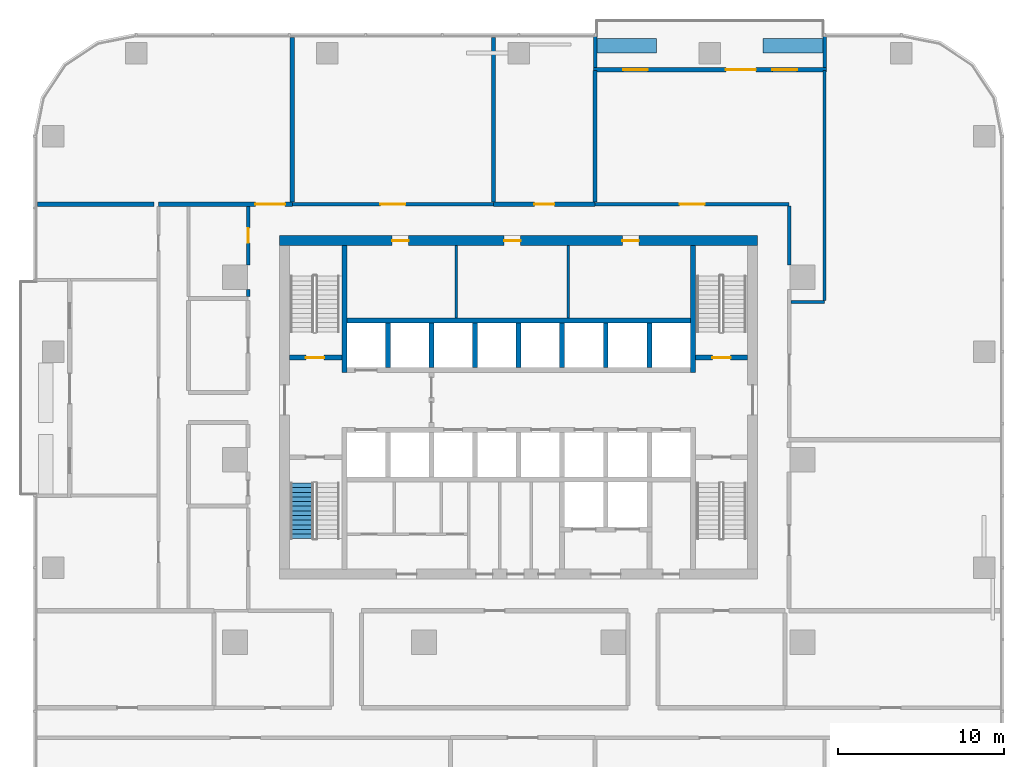
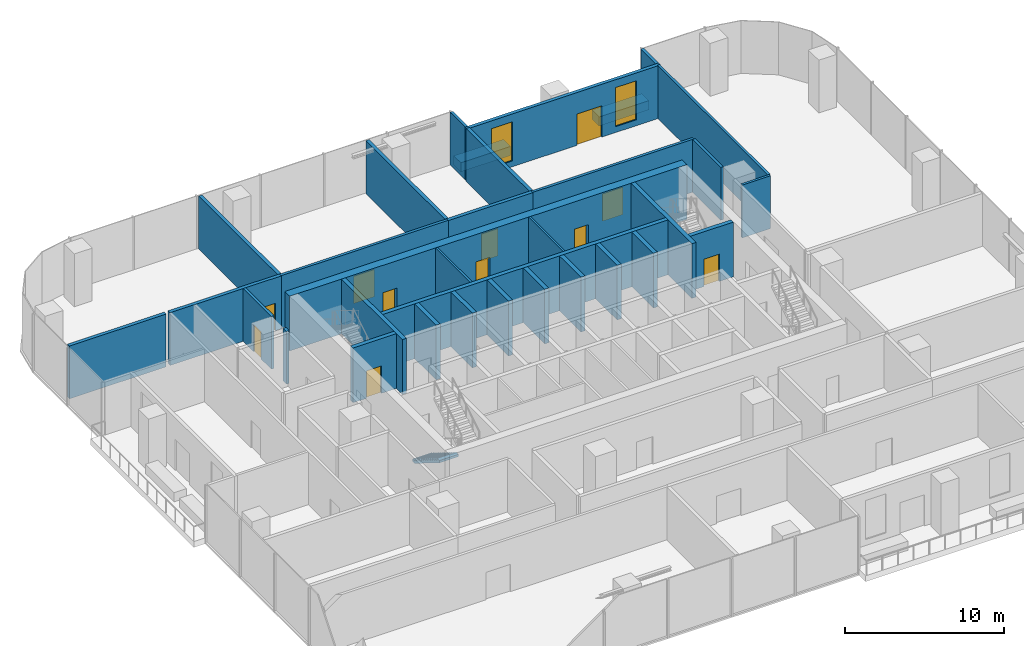
# One storey, part 10 of 15: 33 walls, 11 doors, 2 windows, 1 stair flight, 13 openings, 1 element without a shape of its own.
"""IFC4 building model written with IfcOpenShell, lengths in metres."""

from ifc_helpers import new_model, si_unit, direction, frame, frame_2d, origin, place, context, subcontext, project, spatial, polyline, rectangle, outline, extrude, material, layer, layer_set, type_object, element, fill, aggregate, save


model = new_model("IFC4")

# Units and contexts
model_context = context("Model", 3, precision=1e-05, world=origin(), true_north=direction((0.0, 1.0)))
body_context = subcontext(model_context, "Body", "Model", "MODEL_VIEW")
ifc_project = project(units=[si_unit("LENGTHUNIT", "METRE"), si_unit("AREAUNIT", "SQUARE_METRE"), si_unit("VOLUMEUNIT", "CUBIC_METRE"), si_unit("PLANEANGLEUNIT", "RADIAN"), si_unit("MASSUNIT", "GRAM", prefix="KILO")], contexts=[model_context])

# Site, building, storey
site_placement = place(None, origin())
site = spatial("IfcSite", under=ifc_project, at=site_placement, CompositionType="ELEMENT")
building_placement = place(site_placement, origin())
building = spatial("IfcBuilding", under=site, at=building_placement, Name="Mopane Tessera Tower", CompositionType="ELEMENT")
storey_placement = place(building_placement, frame((0.0, 0.0, 117.10009765625)))
storey = spatial("IfcBuildingStorey", under=building, at=storey_placement, Name="L23", CompositionType="ELEMENT", Elevation=117.10009765625)

# Walls
ifc_material_1 = material(Name="Fire-rated gypsum board partition")
ifc_layer_1 = layer(ifc_material_1, 0.14990234375)
ifc_layer_set_1 = layer_set([ifc_layer_1], Name="Fire-rated gypsum board partition")
wall_type_1 = type_object("IfcWallType", Name="Core room partition 150 mm", PredefinedType="PARTITIONING", material=ifc_layer_set_1)
for number, where, z_axis, x_axis, name in (
    (1, (-3.75, 8.550048828125, 0.0), (0.0, 0.0, 1.0), (0.0, 1.0, 0.0), "L23 Room partition"),
    (2, (3.0, 8.550048828125, 0.0), (0.0, 0.0, 1.0), (0.0, 1.0, 0.0), "L23 Room partition"),
):
    element("IfcWall", number, at=place(storey_placement, frame(where, z_axis=z_axis, x_axis=x_axis)), inside=storey, type_object=wall_type_1, Name=name, PredefinedType="PARTITIONING", context=body_context, shape_type="SweptSolid", body=[
        extrude(rectangle(XDim=4.349853515625, YDim=0.14990234375, at=frame_2d((2.1748046875, 0.0))), origin(), (0.0, 0.0, 1.0), 4.199951171875),
    ])

# Wall, openings, doors
ifc_material_2 = material(Name="Concrete C70/85", Category="concrete")
ifc_layer_2 = layer(ifc_material_2, 0.60009765625)
ifc_layer_set_2 = layer_set([ifc_layer_2], Name="Concrete C70/85")
wall_type_2 = type_object("IfcWallType", Name="Core shear wall 600 mm", PredefinedType="SHEAR", material=ifc_layer_set_2)
wall_1_placement = place(storey_placement, frame((-14.39990234375, 13.199951171875, 0.0), z_axis=(0.0, 0.0, 1.0), x_axis=(1.0, 0.0, 0.0)))
wall_1 = element("IfcWall", 3, at=wall_1_placement, inside=storey, type_object=wall_type_2, Name="L23 Core wall north", PredefinedType="SHEAR", context=body_context, shape_type="SweptSolid", body=[
    extrude(rectangle(XDim=28.7998046875, YDim=0.60009765625, at=frame_2d((14.39990234375, 0.0))), origin(), (0.0, 0.0, 1.0), 4.199951171875),
])
opening_1_placement = place(wall_1_placement, frame((6.77490234375, 0.0, 0.0)))
opening_1 = element("IfcOpeningElement", 4, at=opening_1_placement, cuts=wall_1, Name="Opening RD1", PredefinedType="OPENING", context=body_context, shape_type="SweptSolid", body=[
    extrude(rectangle(XDim=1.0, YDim=2.10009765625, at=frame_2d((0.5, 1.050048828125))), frame((0.0, 0.31201171875, 0.0), z_axis=(0.0, -1.0, 0.0), x_axis=(1.0, 0.0, 0.0)), (0.0, 0.0, 1.0), 0.6240234375),
])
opening_2_placement = place(wall_1_placement, frame((13.52490234375, 0.0, 0.0)))
opening_2 = element("IfcOpeningElement", 5, at=opening_2_placement, cuts=wall_1, Name="Opening RD1", PredefinedType="OPENING", context=body_context, shape_type="SweptSolid", body=[
    extrude(rectangle(XDim=1.0, YDim=2.10009765625, at=frame_2d((0.5, 1.050048828125))), frame((0.0, 0.31201171875, 0.0), z_axis=(0.0, -1.0, 0.0), x_axis=(1.0, 0.0, 0.0)), (0.0, 0.0, 1.0), 0.6240234375),
])
opening_3_placement = place(wall_1_placement, frame((20.64990234375, 0.0, 0.0)))
opening_3 = element("IfcOpeningElement", 6, at=opening_3_placement, cuts=wall_1, Name="Opening RD1", PredefinedType="OPENING", context=body_context, shape_type="SweptSolid", body=[
    extrude(rectangle(XDim=1.0, YDim=2.10009765625, at=frame_2d((0.5, 1.050048828125))), frame((0.0, 0.31201171875, 0.0), z_axis=(0.0, -1.0, 0.0), x_axis=(1.0, 0.0, 0.0)), (0.0, 0.0, 1.0), 0.6240234375),
])
ifc_material_3 = material(Name="Timber door", Category="wood")
door_type_1 = type_object("IfcDoorType", Name="Core room door 1000 x 2100", OperationType="SINGLE_SWING_LEFT", PredefinedType="DOOR", material=ifc_material_3)
door_1_placement = place(opening_1_placement, origin())
door_1 = element("IfcDoor", 7, at=door_1_placement, inside=storey, type_object=door_type_1, Name="L23 Room door", OperationType="SINGLE_SWING_LEFT", OverallHeight=2.10009765625, OverallWidth=1.0, PredefinedType="DOOR", context=body_context, shape_type="SweptSolid", body=[
    extrude(rectangle(XDim=1.0, YDim=2.10009765625, at=frame_2d((0.5, 1.050048828125))), frame((0.0, 0.02490234375, 0.0), z_axis=(0.0, -1.0, 0.0), x_axis=(1.0, 0.0, 0.0)), (0.0, 0.0, 1.0), 0.050048828125),
])
fill(opening_1, door_1)
door_2_placement = place(opening_2_placement, origin())
door_2 = element("IfcDoor", 8, at=door_2_placement, inside=storey, type_object=door_type_1, Name="L23 Room door", OperationType="SINGLE_SWING_LEFT", OverallHeight=2.10009765625, OverallWidth=1.0, PredefinedType="DOOR", context=body_context, shape_type="SweptSolid", body=[
    extrude(rectangle(XDim=1.0, YDim=2.10009765625, at=frame_2d((0.5, 1.050048828125))), frame((0.0, 0.02490234375, 0.0), z_axis=(0.0, -1.0, 0.0), x_axis=(1.0, 0.0, 0.0)), (0.0, 0.0, 1.0), 0.050048828125),
])
fill(opening_2, door_2)
door_3_placement = place(opening_3_placement, origin())
door_3 = element("IfcDoor", 9, at=door_3_placement, inside=storey, type_object=door_type_1, Name="L23 Room door", OperationType="SINGLE_SWING_LEFT", OverallHeight=2.10009765625, OverallWidth=1.0, PredefinedType="DOOR", context=body_context, shape_type="SweptSolid", body=[
    extrude(rectangle(XDim=1.0, YDim=2.10009765625, at=frame_2d((0.5, 1.050048828125))), frame((0.0, 0.02490234375, 0.0), z_axis=(0.0, -1.0, 0.0), x_axis=(1.0, 0.0, 0.0)), (0.0, 0.0, 1.0), 0.050048828125),
])
fill(opening_3, door_3)

# Walls
ifc_material_4 = material(Name="Concrete C60/75", Category="concrete")
ifc_layer_3 = layer(ifc_material_4, 0.300048828125)
ifc_layer_set_3 = layer_set([ifc_layer_3], Name="Concrete C60/75")
wall_type_3 = type_object("IfcWallType", Name="Core spine wall 300 mm", PredefinedType="SHEAR", material=ifc_layer_set_3)
for number, where, z_axis, x_axis, name in (
    (10, (-10.5, 5.25, 0.0), (0.0, 0.0, 1.0), (0.0, 1.0, 0.0), "L23 Core spine wall"),
    (11, (10.5, 5.25, 0.0), (0.0, 0.0, 1.0), (0.0, 1.0, 0.0), "L23 Core spine wall"),
):
    element("IfcWall", number, at=place(storey_placement, frame(where, z_axis=z_axis, x_axis=x_axis)), inside=storey, type_object=wall_type_3, Name=name, PredefinedType="SHEAR", context=body_context, shape_type="SweptSolid", body=[
        extrude(rectangle(XDim=7.64990234375, YDim=0.300048828125, at=frame_2d((3.824951171875, 0.0))), origin(), (0.0, 0.0, 1.0), 4.199951171875),
    ])
ifc_material_5 = material(Name="Gypsum board on staggered steel studs, double layer each face, acoustic mineral wool infill", Category="steel")
ifc_layer_4 = layer(ifc_material_5, 0.175048828125)
ifc_layer_set_4 = layer_set([ifc_layer_4], Name="Gypsum board on staggered steel studs, double layer each face, acoustic mineral wool infill")
wall_type_4 = type_object("IfcWallType", Name="Gypsum board acoustic partition 175, rated EI 60", PredefinedType="PARTITIONING", material=ifc_layer_set_4)
wall_2_placement = place(storey_placement, frame((16.39990234375, 9.5, 0.0), z_axis=(0.0, 0.0, 1.0), x_axis=(1.0, 0.0, 0.0)))
element("IfcWall", 12, at=wall_2_placement, inside=storey, type_object=wall_type_4, Name="Partition L23:019", PredefinedType="PARTITIONING", context=body_context, shape_type="SweptSolid", body=[
    extrude(rectangle(XDim=2.0400390625, YDim=0.175048828125, at=frame_2d((1.02001953125, 0.0))), origin(), (0.0, 0.0, 1.0), 4.0498046875),
])
wall_3_placement = place(storey_placement, frame((18.43994140625, 9.587890625, 0.0), z_axis=(0.0, 0.0, 1.0), x_axis=(0.0, 1.0, 0.0)))
element("IfcWall", 13, at=wall_3_placement, inside=storey, type_object=wall_type_4, Name="Partition L23:054", PredefinedType="PARTITIONING", context=body_context, shape_type="SweptSolid", body=[
    extrude(rectangle(XDim=13.862060546875, YDim=0.175048828125, at=frame_2d((6.93115234375, 0.0))), origin(), (0.0, 0.0, 1.0), 4.0498046875),
])

# Wall, opening, door
ifc_material_6 = material(Name="Gypsum board on steel studs, two layers each face, mineral wool infill", Category="steel")
ifc_layer_5 = layer(ifc_material_6, 0.199951171875)
ifc_layer_set_5 = layer_set([ifc_layer_5], Name="Gypsum board on steel studs, two layers each face, mineral wool infill")
wall_type_5 = type_object("IfcWallType", Name="Gypsum board corridor wall 200, rated EI 60", PredefinedType="PARTITIONING", material=ifc_layer_set_5)
wall_4_placement = place(storey_placement, frame((-13.639892578125, 15.39990234375, 0.0), z_axis=(0.0, 0.0, 1.0), x_axis=(1.0, 0.0, 0.0)))
wall_4 = element("IfcWall", 14, at=wall_4_placement, inside=storey, type_object=wall_type_5, Name="Partition L23:022", PredefinedType="PARTITIONING", context=body_context, shape_type="SweptSolid", body=[
    extrude(rectangle(XDim=12.125, YDim=0.199951171875, at=frame_2d((6.0625, 0.0))), origin(), (0.0, 0.0, 1.0), 4.0498046875),
])
opening_4_placement = place(wall_4_placement, frame((5.3125, 0.0, 0.0)))
opening_4 = element("IfcOpeningElement", 15, at=opening_4_placement, cuts=wall_4, Name="Opening L23-20", PredefinedType="OPENING", context=body_context, shape_type="SweptSolid", body=[
    extrude(rectangle(XDim=1.5, YDim=2.10009765625, at=frame_2d((0.75, 1.050048828125))), frame((0.0, 0.112060546875, 0.0), z_axis=(0.0, -1.0, 0.0), x_axis=(1.0, 0.0, 0.0)), (0.0, 0.0, 1.0), 0.223876953125),
])
ifc_material_7 = material(Name="Timber veneered steel-framed fire door", Category="steel")
door_type_2 = type_object("IfcDoorType", Name="Fire door pair FD60 1500 x 2100", OperationType="DOUBLE_DOOR_SINGLE_SWING", PredefinedType="DOOR", material=ifc_material_7)
door_4_placement = place(opening_4_placement, origin())
door_4 = element("IfcDoor", 16, at=door_4_placement, inside=storey, type_object=door_type_2, Name="Door L23-20", ObjectType="D17A", OperationType="DOUBLE_DOOR_SINGLE_SWING", OverallHeight=2.10009765625, OverallWidth=1.5, PredefinedType="DOOR", context=body_context, shape_type="SweptSolid", body=[
    extrude(rectangle(XDim=1.5, YDim=2.10009765625, at=frame_2d((0.75, 1.050048828125))), frame((0.0, 0.02490234375, 0.0), z_axis=(0.0, -1.0, 0.0), x_axis=(1.0, 0.0, 0.0)), (0.0, 0.0, 1.0), 0.050048828125),
])
fill(opening_4, door_4)

wall_5_placement = place(storey_placement, frame((4.610107421875, 15.39990234375, 0.0), z_axis=(0.0, 0.0, 1.0), x_axis=(1.0, 0.0, 0.0)))
wall_5 = element("IfcWall", 17, at=wall_5_placement, inside=storey, type_object=wall_type_5, Name="Partition L23:023", PredefinedType="PARTITIONING", context=body_context, shape_type="SweptSolid", body=[
    extrude(rectangle(XDim=11.68994140625, YDim=0.199951171875, at=frame_2d((5.844970703125, 0.0))), origin(), (0.0, 0.0, 1.0), 4.0498046875),
])
opening_5_placement = place(wall_5_placement, frame((5.094970703125, 0.0, 0.0)))
opening_5 = element("IfcOpeningElement", 18, at=opening_5_placement, cuts=wall_5, Name="Opening L23-18", PredefinedType="OPENING", context=body_context, shape_type="SweptSolid", body=[
    extrude(rectangle(XDim=1.5, YDim=2.10009765625, at=frame_2d((0.75, 1.050048828125))), frame((0.0, 0.112060546875, 0.0), z_axis=(0.0, -1.0, 0.0), x_axis=(1.0, 0.0, 0.0)), (0.0, 0.0, 1.0), 0.223876953125),
])
door_5_placement = place(opening_5_placement, origin())
door_5 = element("IfcDoor", 19, at=door_5_placement, inside=storey, type_object=door_type_2, Name="Door L23-18", ObjectType="D17A", OperationType="DOUBLE_DOOR_SINGLE_SWING", OverallHeight=2.10009765625, OverallWidth=1.5, PredefinedType="DOOR", context=body_context, shape_type="SweptSolid", body=[
    extrude(rectangle(XDim=1.5, YDim=2.10009765625, at=frame_2d((0.75, 1.050048828125))), frame((0.0, 0.02490234375, 0.0), z_axis=(0.0, -1.0, 0.0), x_axis=(1.0, 0.0, 0.0)), (0.0, 0.0, 1.0), 0.050048828125),
])
fill(opening_5, door_5)

# Wall
wall_6_placement = place(storey_placement, frame((-16.300048828125, 9.85009765625, 0.0), z_axis=(0.0, 0.0, 1.0), x_axis=(0.0, 1.0, 0.0)))
element("IfcWall", 20, at=wall_6_placement, inside=storey, type_object=wall_type_5, Name="Partition L23:034", PredefinedType="PARTITIONING", context=body_context, shape_type="SweptSolid", body=[
    extrude(rectangle(XDim=0.39990234375, YDim=0.199951171875, at=frame_2d((0.199951171875, 0.0))), origin(), (0.0, 0.0, 1.0), 4.0498046875),
])

# Wall, opening, door
wall_7_placement = place(storey_placement, frame((-16.300048828125, 11.75, 0.0), z_axis=(0.0, 0.0, 1.0), x_axis=(0.0, 1.0, 0.0)))
wall_7 = element("IfcWall", 21, at=wall_7_placement, inside=storey, type_object=wall_type_5, Name="Partition L23:035", PredefinedType="PARTITIONING", context=body_context, shape_type="SweptSolid", body=[
    extrude(rectangle(XDim=3.52490234375, YDim=0.199951171875, at=frame_2d((1.762451171875, 0.0))), origin(), (0.0, 0.0, 1.0), 4.0498046875),
])
opening_6_placement = place(wall_7_placement, frame((1.3125, 0.0, 0.0)))
opening_6 = element("IfcOpeningElement", 22, at=opening_6_placement, cuts=wall_7, Name="Opening L23-19", PredefinedType="OPENING", context=body_context, shape_type="SweptSolid", body=[
    extrude(rectangle(XDim=0.89990234375, YDim=2.10009765625, at=frame_2d((0.449951171875, 1.050048828125))), frame((0.0, 0.112060546875, 0.0), z_axis=(0.0, -1.0, 0.0), x_axis=(1.0, 0.0, 0.0)), (0.0, 0.0, 1.0), 0.223876953125),
])
ifc_material_8 = material(Name="Timber veneered steel-framed fire door", Category="steel")
door_type_3 = type_object("IfcDoorType", Name="Fire door FD60 900 x 2100", OperationType="SINGLE_SWING_LEFT", PredefinedType="DOOR", material=ifc_material_8)
door_6_placement = place(opening_6_placement, origin())
door_6 = element("IfcDoor", 23, at=door_6_placement, inside=storey, type_object=door_type_3, Name="Door L23-19", ObjectType="D10A", OperationType="SINGLE_SWING_RIGHT", OverallHeight=2.10009765625, OverallWidth=0.89990234375, PredefinedType="DOOR", context=body_context, shape_type="SweptSolid", body=[
    extrude(rectangle(XDim=0.89990234375, YDim=2.10009765625, at=frame_2d((0.449951171875, 1.050048828125))), frame((0.0, 0.02490234375, 0.0), z_axis=(0.0, -1.0, 0.0), x_axis=(1.0, 0.0, 0.0)), (0.0, 0.0, 1.0), 0.050048828125),
])
fill(opening_6, door_6)

# Wall
wall_8_placement = place(storey_placement, frame((16.300048828125, 11.75, 0.0), z_axis=(0.0, 0.0, 1.0), x_axis=(0.0, 1.0, 0.0)))
element("IfcWall", 24, at=wall_8_placement, inside=storey, type_object=wall_type_5, Name="Partition L23:050", PredefinedType="PARTITIONING", context=body_context, shape_type="SweptSolid", body=[
    extrude(rectangle(XDim=3.550048828125, YDim=0.199951171875, at=frame_2d((1.77490234375, 0.0))), origin(), (0.0, 0.0, 1.0), 4.0498046875),
])

# Wall, opening, door
ifc_material_9 = material(Name="Concrete C50/60", Category="concrete")
ifc_layer_6 = layer(ifc_material_9, 0.300048828125)
ifc_layer_set_6 = layer_set([ifc_layer_6], Name="Concrete C50/60")
wall_type_6 = type_object("IfcWallType", Name="Lift and stair shaft wall 300 mm", PredefinedType="SOLIDWALL", material=ifc_layer_set_6)
wall_9_placement = place(storey_placement, frame((-13.800048828125, 6.14990234375, 0.0), z_axis=(0.0, 0.0, 1.0), x_axis=(1.0, 0.0, 0.0)))
wall_9 = element("IfcWall", 25, at=wall_9_placement, inside=storey, type_object=wall_type_6, Name="L23 Stair enclosure wall", PredefinedType="SOLIDWALL", context=body_context, shape_type="SweptSolid", body=[
    extrude(rectangle(XDim=3.150146484375, YDim=0.300048828125, at=frame_2d((1.5751953125, 0.0))), origin(), (0.0, 0.0, 1.0), 4.199951171875),
])
opening_7_placement = place(wall_9_placement, frame((0.97509765625, 0.0, 0.0)))
opening_7 = element("IfcOpeningElement", 26, at=opening_7_placement, cuts=wall_9, Name="Opening SD1", PredefinedType="OPENING", context=body_context, shape_type="SweptSolid", body=[
    extrude(rectangle(XDim=1.10009765625, YDim=2.10009765625, at=frame_2d((0.550048828125, 1.050048828125))), frame((0.0, 0.162109375, 0.0), z_axis=(0.0, -1.0, 0.0), x_axis=(1.0, 0.0, 0.0)), (0.0, 0.0, 1.0), 0.323974609375),
])
ifc_material_10 = material(Name="Steel fire door", Category="steel")
door_type_4 = type_object("IfcDoorType", Name="Stair fire door 1100 x 2100", OperationType="SINGLE_SWING_LEFT", PredefinedType="DOOR", material=ifc_material_10)
door_7_placement = place(opening_7_placement, origin())
door_7 = element("IfcDoor", 27, at=door_7_placement, inside=storey, type_object=door_type_4, Name="L23 Stair door ST2", OperationType="SINGLE_SWING_LEFT", OverallHeight=2.10009765625, OverallWidth=1.10009765625, PredefinedType="DOOR", context=body_context, shape_type="SweptSolid", body=[
    extrude(rectangle(XDim=1.10009765625, YDim=2.10009765625, at=frame_2d((0.550048828125, 1.050048828125))), frame((0.0, 0.02490234375, 0.0), z_axis=(0.0, -1.0, 0.0), x_axis=(1.0, 0.0, 0.0)), (0.0, 0.0, 1.0), 0.050048828125),
])
fill(opening_7, door_7)

wall_10_placement = place(storey_placement, frame((10.64990234375, 6.14990234375, 0.0), z_axis=(0.0, 0.0, 1.0), x_axis=(1.0, 0.0, 0.0)))
wall_10 = element("IfcWall", 28, at=wall_10_placement, inside=storey, type_object=wall_type_6, Name="L23 Stair enclosure wall", PredefinedType="SOLIDWALL", context=body_context, shape_type="SweptSolid", body=[
    extrude(rectangle(XDim=3.150146484375, YDim=0.300048828125, at=frame_2d((1.5751953125, 0.0))), origin(), (0.0, 0.0, 1.0), 4.199951171875),
])
opening_8_placement = place(wall_10_placement, frame((1.02490234375, 0.0, 0.0)))
opening_8 = element("IfcOpeningElement", 29, at=opening_8_placement, cuts=wall_10, Name="Opening SD1", PredefinedType="OPENING", context=body_context, shape_type="SweptSolid", body=[
    extrude(rectangle(XDim=1.10009765625, YDim=2.10009765625, at=frame_2d((0.550048828125, 1.050048828125))), frame((0.0, 0.162109375, 0.0), z_axis=(0.0, -1.0, 0.0), x_axis=(1.0, 0.0, 0.0)), (0.0, 0.0, 1.0), 0.323974609375),
])
door_8_placement = place(opening_8_placement, origin())
door_8 = element("IfcDoor", 30, at=door_8_placement, inside=storey, type_object=door_type_4, Name="L23 Stair door ST4", OperationType="SINGLE_SWING_RIGHT", OverallHeight=2.10009765625, OverallWidth=1.10009765625, PredefinedType="DOOR", context=body_context, shape_type="SweptSolid", body=[
    extrude(rectangle(XDim=1.10009765625, YDim=2.10009765625, at=frame_2d((0.550048828125, 1.050048828125))), frame((0.0, 0.02490234375, 0.0), z_axis=(0.0, -1.0, 0.0), x_axis=(1.0, 0.0, 0.0)), (0.0, 0.0, 1.0), 0.050048828125),
])
fill(opening_8, door_8)

# Walls
wall_11_placement = place(storey_placement, frame((-10.35009765625, 8.39990234375, 0.0), z_axis=(0.0, 0.0, 1.0), x_axis=(1.0, 0.0, 0.0)))
element("IfcWall", 31, at=wall_11_placement, inside=storey, type_object=wall_type_6, Name="L23 Lift shaft rear wall", PredefinedType="SOLIDWALL", context=body_context, shape_type="SweptSolid", body=[
    extrude(rectangle(XDim=20.7001953125, YDim=0.300048828125, at=frame_2d((10.35009765625, 0.0))), origin(), (0.0, 0.0, 1.0), 4.199951171875),
])
for number, where, z_axis, x_axis, name in (
    (32, (-7.875, 5.550048828125, 0.0), (0.0, 0.0, 1.0), (0.0, 1.0, 0.0), "L23 Lift shaft wall"),
    (33, (-5.25, 5.550048828125, 0.0), (0.0, 0.0, 1.0), (0.0, 1.0, 0.0), "L23 Lift shaft wall"),
    (34, (-2.625, 5.550048828125, 0.0), (0.0, 0.0, 1.0), (0.0, 1.0, 0.0), "L23 Lift shaft wall"),
    (35, (0.0, 5.550048828125, 0.0), (0.0, 0.0, 1.0), (0.0, 1.0, 0.0), "L23 Lift shaft wall"),
    (36, (2.625, 5.550048828125, 0.0), (0.0, 0.0, 1.0), (0.0, 1.0, 0.0), "L23 Lift shaft wall"),
    (37, (5.25, 5.550048828125, 0.0), (0.0, 0.0, 1.0), (0.0, 1.0, 0.0), "L23 Lift shaft wall"),
    (38, (7.875, 5.550048828125, 0.0), (0.0, 0.0, 1.0), (0.0, 1.0, 0.0), "L23 Lift shaft wall"),
):
    element("IfcWall", number, at=place(storey_placement, frame(where, z_axis=z_axis, x_axis=x_axis)), inside=storey, type_object=wall_type_6, Name=name, PredefinedType="SOLIDWALL", context=body_context, shape_type="SweptSolid", body=[
        extrude(rectangle(XDim=2.699951171875, YDim=0.300048828125, at=frame_2d((1.35009765625, 0.0))), origin(), (0.0, 0.0, 1.0), 4.199951171875),
    ])
ifc_material_11 = material(Name="Reinforced concrete C32/40 with waterproofing", Category="concrete")
ifc_layer_7 = layer(ifc_material_11, 0.89990234375)
ifc_layer_set_7 = layer_set([ifc_layer_7], Name="Reinforced concrete C32/40 with waterproofing")
wall_type_7 = type_object("IfcWallType", Name="Planter trough 3600 x 900", PredefinedType="STANDARD", material=ifc_layer_set_7)
for number, where, z_axis, x_axis, name in (
    (39, (18.340087890625, 24.949951171875, 0.0), (0.0, 0.0, 1.0), (-1.0, 0.0, 0.0), "e:nw:L23:N1:pl0"),
    (40, (8.31005859375, 24.949951171875, 0.0), (0.0, 0.0, 1.0), (-1.0, 0.0, 0.0), "e:nw:L23:N1:pl1"),
):
    element("IfcWall", number, at=place(storey_placement, frame(where, z_axis=z_axis, x_axis=x_axis)), inside=storey, type_object=wall_type_7, Name=name, PredefinedType="STANDARD", context=body_context, shape_type="SweptSolid", body=[
        extrude(rectangle(XDim=3.60009765625, YDim=0.89990234375, at=frame_2d((1.800048828125, 0.0))), origin(), (0.0, 0.0, 1.0), 0.699951171875),
    ])
ifc_material_12 = material(Name="Plastered concrete blockwork C20/25", Category="masonry")
ifc_layer_8 = layer(ifc_material_12, 0.25)
ifc_layer_set_8 = layer_set([ifc_layer_8], Name="Plastered concrete blockwork C20/25")
wall_type_8 = type_object("IfcWallType", Name="Plastered blockwork wall 250, rated EI 120", PredefinedType="PARTITIONING", material=ifc_layer_set_8)
wall_12_placement = place(storey_placement, frame((-29.0, 15.39990234375, 0.0), z_axis=(0.0, 0.0, 1.0), x_axis=(1.0, 0.0, 0.0)))
element("IfcWall", 41, at=wall_12_placement, inside=storey, type_object=wall_type_8, Name="Partition L23:024", PredefinedType="PARTITIONING", context=body_context, shape_type="SweptSolid", body=[
    extrude(rectangle(XDim=7.014892578125, YDim=0.25, at=frame_2d((3.50732421875, 0.0))), origin(), (0.0, 0.0, 1.0), 4.0498046875),
])

# Wall, opening, door
wall_13_placement = place(storey_placement, frame((-21.699951171875, 15.39990234375, 0.0), z_axis=(0.0, 0.0, 1.0), x_axis=(1.0, 0.0, 0.0)))
wall_13 = element("IfcWall", 42, at=wall_13_placement, inside=storey, type_object=wall_type_8, Name="Partition L23:025", PredefinedType="PARTITIONING", context=body_context, shape_type="SweptSolid", body=[
    extrude(rectangle(XDim=8.06005859375, YDim=0.25, at=frame_2d((4.030029296875, 0.0))), origin(), (0.0, 0.0, 1.0), 4.0498046875),
])
opening_9_placement = place(wall_13_placement, frame((5.830078125, 0.0, 0.0)))
opening_9 = element("IfcOpeningElement", 43, at=opening_9_placement, cuts=wall_13, Name="Opening L23-12", PredefinedType="OPENING", context=body_context, shape_type="SweptSolid", body=[
    extrude(rectangle(XDim=1.800048828125, YDim=2.10009765625, at=frame_2d((0.89990234375, 1.050048828125))), frame((0.0, 0.136962890625, 0.0), z_axis=(0.0, -1.0, 0.0), x_axis=(1.0, 0.0, 0.0)), (0.0, 0.0, 1.0), 0.27392578125),
])
ifc_material_13 = material(Name="Timber veneered steel-framed fire door", Category="steel")
door_type_5 = type_object("IfcDoorType", Name="Fire door pair FD120 1800 x 2100", OperationType="DOUBLE_DOOR_SINGLE_SWING", PredefinedType="DOOR", material=ifc_material_13)
door_9_placement = place(opening_9_placement, origin())
door_9 = element("IfcDoor", 44, at=door_9_placement, inside=storey, type_object=door_type_5, Name="Door L23-12", ObjectType="D20B", OperationType="DOUBLE_DOOR_SINGLE_SWING", OverallHeight=2.10009765625, OverallWidth=1.800048828125, PredefinedType="DOOR", context=body_context, shape_type="SweptSolid", body=[
    extrude(rectangle(XDim=1.800048828125, YDim=2.10009765625, at=frame_2d((0.89990234375, 1.050048828125))), frame((0.0, 0.02490234375, 0.0), z_axis=(0.0, -1.0, 0.0), x_axis=(1.0, 0.0, 0.0)), (0.0, 0.0, 1.0), 0.050048828125),
])
fill(opening_9, door_9)

wall_14_placement = place(storey_placement, frame((-1.514892578125, 15.39990234375, 0.0), z_axis=(0.0, 0.0, 1.0), x_axis=(1.0, 0.0, 0.0)))
wall_14 = element("IfcWall", 45, at=wall_14_placement, inside=storey, type_object=wall_type_8, Name="Partition L23:026", PredefinedType="PARTITIONING", context=body_context, shape_type="SweptSolid", body=[
    extrude(rectangle(XDim=6.125, YDim=0.25, at=frame_2d((3.0625, 0.0))), origin(), (0.0, 0.0, 1.0), 4.0498046875),
])
opening_10_placement = place(wall_14_placement, frame((2.46240234375, 0.0, 0.0)))
opening_10 = element("IfcOpeningElement", 46, at=opening_10_placement, cuts=wall_14, Name="Opening L23-02", PredefinedType="OPENING", context=body_context, shape_type="SweptSolid", body=[
    extrude(rectangle(XDim=1.199951171875, YDim=2.10009765625, at=frame_2d((0.60009765625, 1.050048828125))), frame((0.0, 0.136962890625, 0.0), z_axis=(0.0, -1.0, 0.0), x_axis=(1.0, 0.0, 0.0)), (0.0, 0.0, 1.0), 0.27392578125),
])
ifc_material_14 = material(Name="Timber veneered steel-framed fire door", Category="steel")
door_type_6 = type_object("IfcDoorType", Name="Fire door FD120 1200 x 2100", OperationType="SINGLE_SWING_LEFT", PredefinedType="DOOR", material=ifc_material_14)
door_10_placement = place(opening_10_placement, origin())
door_10 = element("IfcDoor", 47, at=door_10_placement, inside=storey, type_object=door_type_6, Name="Door L23-02", ObjectType="D15B", OperationType="SINGLE_SWING_RIGHT", OverallHeight=2.10009765625, OverallWidth=1.199951171875, PredefinedType="DOOR", context=body_context, shape_type="SweptSolid", body=[
    extrude(rectangle(XDim=1.199951171875, YDim=2.10009765625, at=frame_2d((0.60009765625, 1.050048828125))), frame((0.0, 0.02490234375, 0.0), z_axis=(0.0, -1.0, 0.0), x_axis=(1.0, 0.0, 0.0)), (0.0, 0.0, 1.0), 0.050048828125),
])
fill(opening_10, door_10)

# Walls
for number, where, z_axis, x_axis, name in (
    (48, (-13.639892578125, 15.52490234375, 0.0), (0.0, 0.0, 1.0), (0.0, 1.0, 0.0), "Partition L23:039"),
    (49, (-1.514892578125, 15.52490234375, 0.0), (0.0, 0.0, 1.0), (0.0, 1.0, 0.0), "Partition L23:043"),
):
    element("IfcWall", number, at=place(storey_placement, frame(where, z_axis=z_axis, x_axis=x_axis)), inside=storey, type_object=wall_type_8, Name=name, PredefinedType="PARTITIONING", context=body_context, shape_type="SweptSolid", body=[
        extrude(rectangle(XDim=9.925048828125, YDim=0.25, at=frame_2d((4.96240234375, 0.0))), origin(), (0.0, 0.0, 1.0), 4.0498046875),
    ])
wall_15_placement = place(storey_placement, frame((4.610107421875, 15.52490234375, 0.0), z_axis=(0.0, 0.0, 1.0), x_axis=(0.0, 1.0, 0.0)))
element("IfcWall", 50, at=wall_15_placement, inside=storey, type_object=wall_type_8, Name="Partition L23:045", PredefinedType="PARTITIONING", context=body_context, shape_type="SweptSolid", body=[
    extrude(rectangle(XDim=7.925048828125, YDim=0.25, at=frame_2d((3.96240234375, 0.0))), origin(), (0.0, 0.0, 1.0), 4.0498046875),
])
ifc_material_15 = material(Name="Blockwork with glazed tile facing", Category="masonry")
ifc_layer_9 = layer(ifc_material_15, 0.199951171875)
ifc_layer_set_9 = layer_set([ifc_layer_9], Name="Blockwork with glazed tile facing")
wall_type_9 = type_object("IfcWallType", Name="Terrace cheek wall 200", PredefinedType="STANDARD", material=ifc_layer_set_9)
for number, where, z_axis, x_axis, name in (
    (51, (18.43994140625, 25.5, 0.0), (0.0, 0.0, 1.0), (0.0, -1.0, 0.0), "e:nw:L23:N1:cheeka"),
    (52, (4.610107421875, 25.5, 0.0), (0.0, 0.0, 1.0), (0.0, -1.0, 0.0), "e:nw:L23:N1:cheekb"),
):
    element("IfcWall", number, at=place(storey_placement, frame(where, z_axis=z_axis, x_axis=x_axis)), inside=storey, type_object=wall_type_9, Name=name, PredefinedType="STANDARD", context=body_context, shape_type="SweptSolid", body=[
        extrude(rectangle(XDim=1.875, YDim=0.199951171875, at=frame_2d((0.9375, 0.0))), origin(), (0.0, 0.0, 1.0), 4.0498046875),
    ])

# Wall, openings, windows, door
ifc_material_16 = material(Name="Blockwork with turquoise glazed tile facing", Category="masonry")
ifc_layer_10 = layer(ifc_material_16, 0.25)
ifc_layer_set_10 = layer_set([ifc_layer_10], Name="Blockwork with turquoise glazed tile facing")
wall_type_10 = type_object("IfcWallType", Name="Tile-clad external wall 250, turquoise", PredefinedType="STANDARD", material=ifc_layer_set_10)
wall_16_placement = place(storey_placement, frame((18.5400390625, 23.5, 0.0), z_axis=(0.0, 0.0, 1.0), x_axis=(-1.0, 0.0, 0.0)))
wall_16 = element("IfcWall", 53, at=wall_16_placement, inside=storey, type_object=wall_type_10, Name="e:nw:L23:N1:back", PredefinedType="STANDARD", context=body_context, shape_type="SweptSolid", body=[
    extrude(rectangle(XDim=14.030029296875, YDim=0.25, at=frame_2d((7.01513671875, 0.0))), origin(), (0.0, 0.0, 1.0), 4.0498046875),
])
opening_11_placement = place(wall_16_placement, frame((1.75, 0.0, 0.449951171875)))
opening_11 = element("IfcOpeningElement", 54, at=opening_11_placement, cuts=wall_16, Name="Opening NW231A", PredefinedType="OPENING", context=body_context, shape_type="SweptSolid", body=[
    extrude(rectangle(XDim=1.5, YDim=3.0, at=frame_2d((0.75, 1.5))), frame((0.0, 0.136962890625, 0.0), z_axis=(0.0, -1.0, 0.0), x_axis=(1.0, 0.0, 0.0)), (0.0, 0.0, 1.0), 0.27392578125),
])
opening_12_placement = place(wall_16_placement, frame((4.25, 0.0, 0.0)))
opening_12 = element("IfcOpeningElement", 55, at=opening_12_placement, cuts=wall_16, Name="Opening ND231", PredefinedType="OPENING", context=body_context, shape_type="SweptSolid", body=[
    extrude(rectangle(XDim=1.800048828125, YDim=2.39990234375, at=frame_2d((0.89990234375, 1.199951171875))), frame((0.0, 0.136962890625, 0.0), z_axis=(0.0, -1.0, 0.0), x_axis=(1.0, 0.0, 0.0)), (0.0, 0.0, 1.0), 0.27392578125),
])
opening_13_placement = place(wall_16_placement, frame((10.75, 0.0, 0.449951171875)))
opening_13 = element("IfcOpeningElement", 56, at=opening_13_placement, cuts=wall_16, Name="Opening NW231B", PredefinedType="OPENING", context=body_context, shape_type="SweptSolid", body=[
    extrude(rectangle(XDim=1.5, YDim=3.0, at=frame_2d((0.75, 1.5))), frame((0.0, 0.136962890625, 0.0), z_axis=(0.0, -1.0, 0.0), x_axis=(1.0, 0.0, 0.0)), (0.0, 0.0, 1.0), 0.27392578125),
])
ifc_material_17 = material(Name="Clear laminated glass", Category="glass")
window_type = type_object("IfcWindowType", Name="Fixed window 1500 x 3000", PartitioningType="SINGLE_PANEL", PredefinedType="WINDOW", material=ifc_material_17)
window_1_placement = place(opening_11_placement, origin())
window_1 = element("IfcWindow", 57, at=window_1_placement, inside=storey, type_object=window_type, Name="e:nw:L23:N1:win0", OverallHeight=3.0, OverallWidth=1.5, PartitioningType="SINGLE_PANEL", PredefinedType="WINDOW", context=body_context, shape_type="SweptSolid", body=[
    extrude(rectangle(XDim=1.5, YDim=3.0, at=frame_2d((0.75, 1.5))), frame((0.0, 0.030029296875, 0.0), z_axis=(0.0, -1.0, 0.0), x_axis=(1.0, 0.0, 0.0)), (0.0, 0.0, 1.0), 0.06005859375),
])
fill(opening_11, window_1)
window_2_placement = place(opening_13_placement, origin())
window_2 = element("IfcWindow", 58, at=window_2_placement, inside=storey, type_object=window_type, Name="e:nw:L23:N1:win2", OverallHeight=3.0, OverallWidth=1.5, PartitioningType="SINGLE_PANEL", PredefinedType="WINDOW", context=body_context, shape_type="SweptSolid", body=[
    extrude(rectangle(XDim=1.5, YDim=3.0, at=frame_2d((0.75, 1.5))), frame((0.0, 0.030029296875, 0.0), z_axis=(0.0, -1.0, 0.0), x_axis=(1.0, 0.0, 0.0)), (0.0, 0.0, 1.0), 0.06005859375),
])
fill(opening_13, window_2)
ifc_material_18 = material(Name="Aluminium and clear glass", Category="aluminium")
door_type_7 = type_object("IfcDoorType", Name="Terrace double door 1800 x 2400", OperationType="DOUBLE_DOOR_SINGLE_SWING", PredefinedType="DOOR", material=ifc_material_18)
door_11_placement = place(opening_12_placement, origin())
door_11 = element("IfcDoor", 59, at=door_11_placement, inside=storey, type_object=door_type_7, Name="e:nw:L23:N1:door", ObjectType="D1", OperationType="DOUBLE_DOOR_SINGLE_SWING", OverallHeight=2.39990234375, OverallWidth=1.800048828125, PredefinedType="DOOR", context=body_context, shape_type="SweptSolid", body=[
    extrude(rectangle(XDim=1.800048828125, YDim=2.39990234375, at=frame_2d((0.89990234375, 1.199951171875))), frame((0.0, 0.02490234375, 0.0), z_axis=(0.0, -1.0, 0.0), x_axis=(1.0, 0.0, 0.0)), (0.0, 0.0, 1.0), 0.050048828125),
])
fill(opening_12, door_11)

# Stair, stair flight
ifc_material_19 = material(Name="Concrete C50/60", Category="concrete")
stair_type = type_object("IfcStairType", Name="Escape stair 1400 mm, riser 173 mm", PredefinedType="HALF_TURN_STAIR", material=ifc_material_19)
stair_placement = place(storey_placement, origin())
stair = element("IfcStair", 60, at=stair_placement, inside=storey, type_object=stair_type, Name="L23 Escape stair south-west", PredefinedType="HALF_TURN_STAIR")
ifc_material_20 = material(Name="Concrete C50/60", Category="concrete")
stair_flight_type = type_object("IfcStairFlightType", Name="Escape stair flight 1400 mm", PredefinedType="STRAIGHT", material=ifc_material_20)
stair_flight_placement = place(storey_placement, frame((-13.050048828125, -1.39990234375, 0.0), z_axis=(0.0, 0.0, 1.0), x_axis=(0.0, -1.0, 0.0)))
stair_flight = element("IfcStairFlight", 61, at=stair_flight_placement, type_object=stair_flight_type, Name="ST1 flight 1", NumberOfRisers=13, NumberOfTreads=12, PredefinedType="STRAIGHT", RiserHeight=0.173076923, TreadLength=0.28, context=body_context, shape_type="SweptSolid", body=[
    extrude(outline(polyline([(0.0, 0.0), (0.0, 0.173095703125), (0.280029296875, 0.173095703125), (0.280029296875, 0.34619140625), (0.56005859375, 0.34619140625), (0.56005859375, 0.519287109375), (0.840087890625, 0.519287109375), (0.840087890625, 0.6923828125), (1.1201171875, 0.6923828125), (1.1201171875, 0.865478515625), (1.39990234375, 0.865478515625), (1.39990234375, 1.03857421875), (1.679931640625, 1.03857421875), (1.679931640625, 1.21142578125), (1.9599609375, 1.21142578125), (1.9599609375, 1.384521484375), (2.239990234375, 1.384521484375), (2.239990234375, 1.5576171875), (2.52001953125, 1.5576171875), (2.52001953125, 1.730712890625), (2.800048828125, 1.730712890625), (2.800048828125, 1.90380859375), (3.080078125, 1.90380859375), (3.080078125, 2.076904296875), (3.360107421875, 2.076904296875), (3.360107421875, 2.25), (3.360107421875, 1.900634765625), (0.28515625, 0.0), (0.0, 0.0)])), frame((0.0, 0.699951171875, 0.0), z_axis=(0.0, -1.0, 0.0), x_axis=(1.0, 0.0, 0.0)), (0.0, 0.0, 1.0), 1.39990234375),
])
aggregate(stair, [stair_flight])

save(model, "model.ifc")
